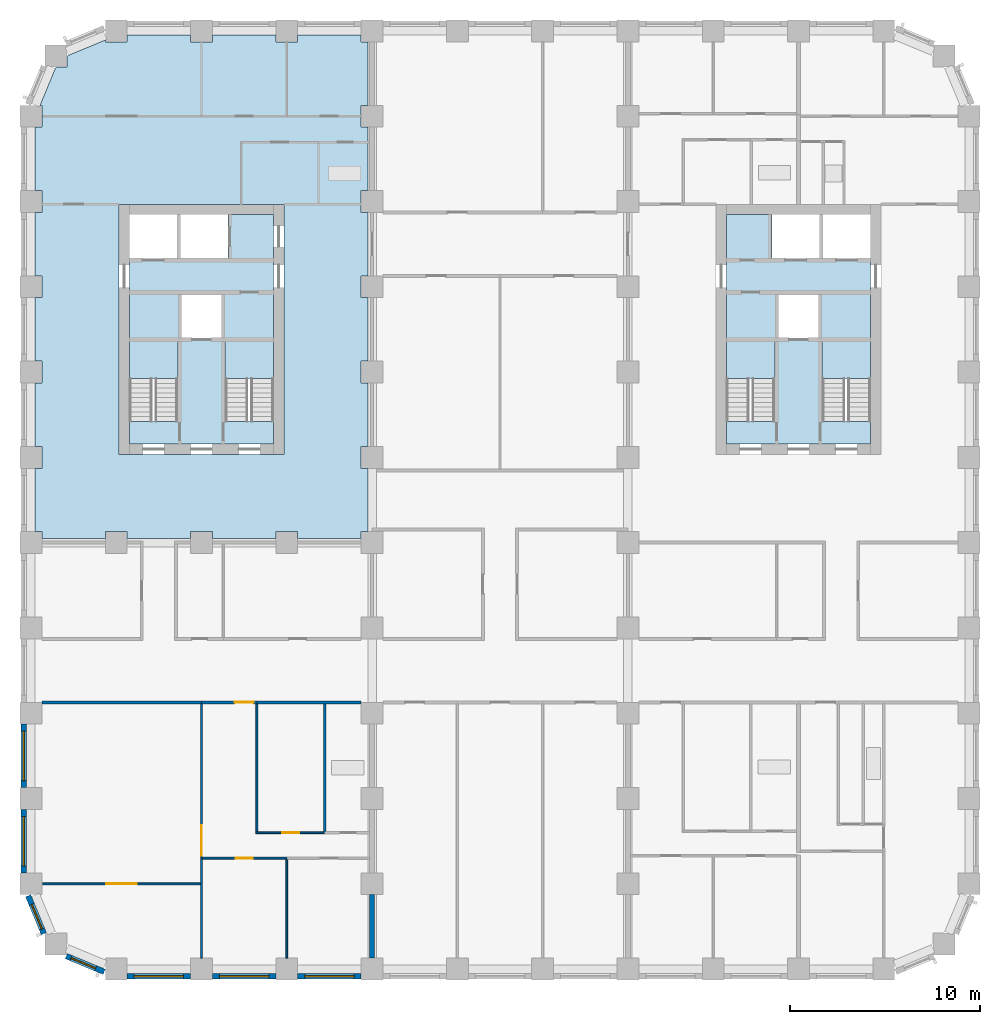
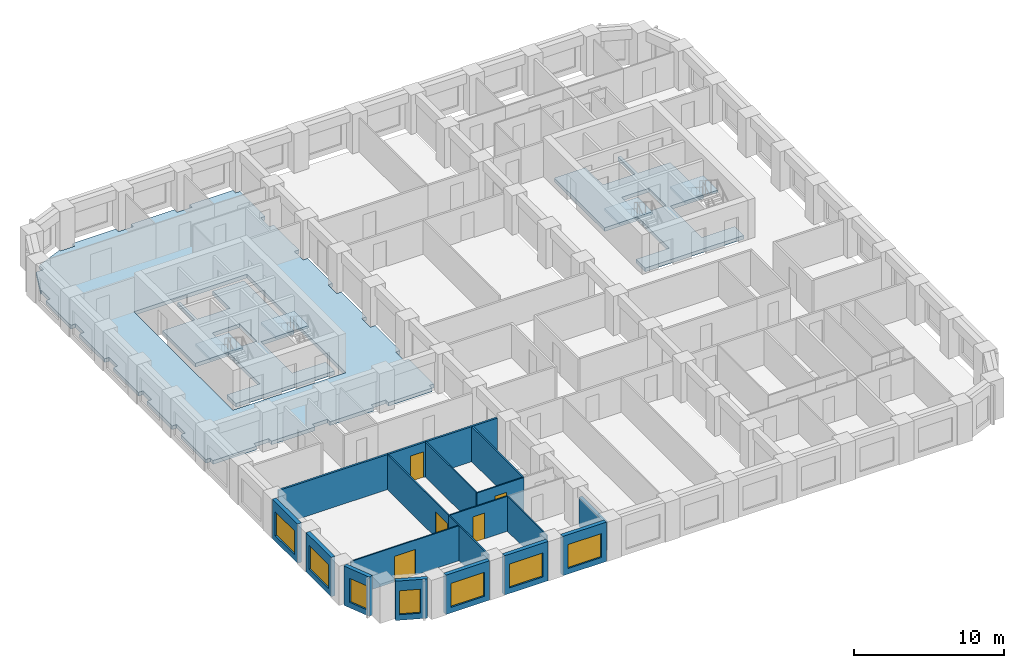
# One storey, part 2 of 12: 19 walls, 7 slabs, 7 windows, 5 doors, 12 openings, 4 elements without a shape of their own.
"""IFC4 building model written with IfcOpenShell, lengths in metres."""

from ifc_helpers import new_model, si_unit, direction, frame, frame_2d, origin, place, context, subcontext, project, spatial, polyline, rectangle, outline, extrude, material, layer, layer_set, type_object, element, fill, aggregate, save


model = new_model("IFC4")

# Units and contexts
model_context = context("Model", 3, precision=1e-05, world=origin(), true_north=direction((0.0, 1.0)))
body_context = subcontext(model_context, "Body", "Model", "MODEL_VIEW")
ifc_project = project(units=[si_unit("LENGTHUNIT", "METRE"), si_unit("AREAUNIT", "SQUARE_METRE"), si_unit("VOLUMEUNIT", "CUBIC_METRE"), si_unit("PLANEANGLEUNIT", "RADIAN"), si_unit("MASSUNIT", "GRAM", prefix="KILO")], contexts=[model_context])

# Site, building, storey
site_placement = place(None, origin())
site = spatial("IfcSite", under=ifc_project, at=site_placement, CompositionType="ELEMENT")
building_placement = place(site_placement, origin())
building = spatial("IfcBuilding", under=site, at=building_placement, Name="Girih Gate Residences", CompositionType="ELEMENT")
storey_placement = place(building_placement, frame((0.0, 0.0, 121.60009765625)))
storey = spatial("IfcBuildingStorey", under=building, at=storey_placement, Name="L34", CompositionType="ELEMENT", Elevation=121.60009765625)

# Slabs
ifc_material_1 = material(Name="Concrete C40/50", Category="concrete")
ifc_layer_1 = layer(ifc_material_1, 0.300048828125)
ifc_layer_set_1 = layer_set([ifc_layer_1], Name="Core floor slab 300")
slab_type_1 = type_object("IfcSlabType", Name="Core floor slab 300", PredefinedType="FLOOR", material=ifc_layer_set_1)
slab_1_placement = place(storey_placement, frame((0.0, 0.0, -0.300048828125)))
element("IfcSlab", 1, at=slab_1_placement, inside=storey, type_object=slab_type_1, Name="L34 W core floor", PredefinedType="FLOOR", context=body_context, shape_type="SweptSolid", body=[
    extrude(outline(polyline([(12.800048828125, 27.699951171875), (5.199951171875, 27.699951171875), (5.199951171875, 28.900634765625), (7.75, 28.900634765625), (7.75, 33.10009765625), (5.199951171875, 33.10009765625), (5.199951171875, 37.5), (7.699951171875, 37.5), (7.699951171875, 39.800048828125), (7.89990234375, 39.800048828125), (7.89990234375, 37.5), (10.39990234375, 37.5), (10.39990234375, 39.800048828125), (12.800048828125, 39.800048828125), (12.800048828125, 33.10009765625), (10.25, 33.10009765625), (10.25, 28.900634765625), (12.800048828125, 28.900634765625), (12.800048828125, 27.699951171875)]), holes=[polyline([(7.949951171875, 33.300048828125), (10.050048828125, 33.300048828125), (10.050048828125, 35.60009765625), (7.949951171875, 35.60009765625), (7.949951171875, 33.300048828125)])]), origin(), (0.0, 0.0, 1.0), 0.300048828125),
])
slab_2_placement = place(storey_placement, frame((0.0, 0.0, -0.300048828125)))
element("IfcSlab", 2, at=slab_2_placement, inside=storey, type_object=slab_type_1, Name="L34 E core floor", PredefinedType="FLOOR", context=body_context, shape_type="SweptSolid", body=[
    extrude(outline(polyline([(44.300048828125, 27.699951171875), (36.699951171875, 27.699951171875), (36.699951171875, 28.900634765625), (39.25, 28.900634765625), (39.25, 33.10009765625), (36.699951171875, 33.10009765625), (36.699951171875, 39.800048828125), (39.10009765625, 39.800048828125), (39.10009765625, 37.5), (41.60009765625, 37.5), (41.60009765625, 39.800048828125), (41.800048828125, 39.800048828125), (41.800048828125, 37.5), (44.300048828125, 37.5), (44.300048828125, 33.10009765625), (41.75, 33.10009765625), (41.75, 28.900634765625), (44.300048828125, 28.900634765625), (44.300048828125, 27.699951171875)]), holes=[polyline([(39.449951171875, 33.300048828125), (41.550048828125, 33.300048828125), (41.550048828125, 35.60009765625), (39.449951171875, 35.60009765625), (39.449951171875, 33.300048828125)])]), origin(), (0.0, 0.0, 1.0), 0.300048828125),
])
ifc_layer_2 = layer(ifc_material_1, 0.300048828125)
ifc_layer_set_2 = layer_set([ifc_layer_2], Name="Floor slab PT 300 Concrete C40/50")
slab_type_2 = type_object("IfcSlabType", Name="Floor slab PT 300 Concrete C40/50", PredefinedType="FLOOR", material=ifc_layer_set_2)
slab_3_placement = place(storey_placement, frame((0.0, 0.0, -0.300048828125)))
element("IfcSlab", 3, at=slab_3_placement, inside=storey, type_object=slab_type_2, Name="Floor slab L34 3", PredefinedType="FLOOR", context=body_context, shape_type="SweptSolid", body=[
    extrude(outline(polyline([(0.22509765625, 26.425048828125), (0.22509765625, 23.074951171875), (0.574951171875, 23.074951171875), (0.574951171875, 22.72509765625), (3.925048828125, 22.72509765625), (3.925048828125, 23.074951171875), (5.074951171875, 23.074951171875), (5.074951171875, 22.72509765625), (8.425048828125, 22.72509765625), (8.425048828125, 23.074951171875), (9.574951171875, 23.074951171875), (9.574951171875, 22.72509765625), (12.925048828125, 22.72509765625), (12.925048828125, 23.074951171875), (14.074951171875, 23.074951171875), (14.074951171875, 22.72509765625), (17.425048828125, 22.72509765625), (17.425048828125, 23.074951171875), (17.77490234375, 23.074951171875), (17.77490234375, 26.425048828125), (17.425048828125, 26.425048828125), (17.425048828125, 27.574951171875), (17.77490234375, 27.574951171875), (17.77490234375, 30.925048828125), (17.425048828125, 30.925048828125), (17.425048828125, 32.074951171875), (17.77490234375, 32.074951171875), (17.77490234375, 35.425048828125), (17.425048828125, 35.425048828125), (17.425048828125, 36.574951171875), (17.77490234375, 36.574951171875), (17.77490234375, 39.925048828125), (17.425048828125, 39.925048828125), (17.425048828125, 41.074951171875), (17.77490234375, 41.074951171875), (17.77490234375, 44.425048828125), (17.425048828125, 44.425048828125), (17.425048828125, 45.574951171875), (17.77490234375, 45.574951171875), (17.77490234375, 48.925048828125), (17.425048828125, 48.925048828125), (17.425048828125, 49.27490234375), (14.074951171875, 49.27490234375), (14.074951171875, 48.925048828125), (12.925048828125, 48.925048828125), (12.925048828125, 49.27490234375), (9.574951171875, 49.27490234375), (9.574951171875, 48.925048828125), (8.425048828125, 48.925048828125), (8.425048828125, 49.27490234375), (5.074951171875, 49.27490234375), (5.074951171875, 48.925048828125), (3.925048828125, 48.925048828125), (3.925048828125, 49.018310546875), (1.89306640625, 48.176513671875), (1.89306640625, 47.60693359375), (1.323486328125, 47.60693359375), (0.481689453125, 45.574951171875), (0.574951171875, 45.574951171875), (0.574951171875, 44.425048828125), (0.22509765625, 44.425048828125), (0.22509765625, 41.074951171875), (0.574951171875, 41.074951171875), (0.574951171875, 39.925048828125), (0.22509765625, 39.925048828125), (0.22509765625, 36.574951171875), (0.574951171875, 36.574951171875), (0.574951171875, 35.425048828125), (0.22509765625, 35.425048828125), (0.22509765625, 32.074951171875), (0.574951171875, 32.074951171875), (0.574951171875, 30.925048828125), (0.22509765625, 30.925048828125), (0.22509765625, 27.574951171875), (0.574951171875, 27.574951171875), (0.574951171875, 26.425048828125), (0.22509765625, 26.425048828125)]), holes=[polyline([(13.35009765625, 40.35009765625), (13.35009765625, 27.14990234375), (4.64990234375, 27.14990234375), (4.64990234375, 40.35009765625), (13.35009765625, 40.35009765625)])]), origin(), (0.0, 0.0, 1.0), 0.300048828125),
])

# Stair, slab
stair_type = type_object("IfcStairType", Name="Exit stair", PredefinedType="HALF_TURN_STAIR", material=ifc_material_1)
stair_1_placement = place(storey_placement, origin())
stair_1 = element("IfcStair", 4, at=stair_1_placement, inside=storey, type_object=stair_type, Name="L34 Exit Stair ST-W1", PredefinedType="HALF_TURN_STAIR")
ifc_layer_3 = layer(ifc_material_1, 0.199951171875)
ifc_layer_set_3 = layer_set([ifc_layer_3], Name="Stair landing 200")
slab_type_3 = type_object("IfcSlabType", Name="Stair landing 200", PredefinedType="LANDING", material=ifc_layer_set_3)
slab_4_placement = place(storey_placement, frame((0.0, 0.0, 1.39990234375)))
slab_4 = element("IfcSlab", 5, at=slab_4_placement, type_object=slab_type_3, Name="ST-W1 landing 1", PredefinedType="LANDING", context=body_context, shape_type="SweptSolid", body=[
    extrude(outline(polyline([(7.75, 31.14990234375), (7.75, 33.10009765625), (5.199951171875, 33.10009765625), (5.199951171875, 31.14990234375), (7.75, 31.14990234375)])), origin(), (0.0, 0.0, 1.0), 0.199951171875),
])
aggregate(stair_1, [slab_4])

stair_2_placement = place(storey_placement, origin())
stair_2 = element("IfcStair", 6, at=stair_2_placement, inside=storey, type_object=stair_type, Name="L34 Exit Stair ST-W2", PredefinedType="HALF_TURN_STAIR")
slab_5_placement = place(storey_placement, frame((0.0, 0.0, 1.39990234375)))
slab_5 = element("IfcSlab", 7, at=slab_5_placement, type_object=slab_type_3, Name="ST-W2 landing 1", PredefinedType="LANDING", context=body_context, shape_type="SweptSolid", body=[
    extrude(outline(polyline([(12.800048828125, 31.14990234375), (12.800048828125, 33.10009765625), (10.25, 33.10009765625), (10.25, 31.14990234375), (12.800048828125, 31.14990234375)])), origin(), (0.0, 0.0, 1.0), 0.199951171875),
])
aggregate(stair_2, [slab_5])

stair_3_placement = place(storey_placement, origin())
stair_3 = element("IfcStair", 8, at=stair_3_placement, inside=storey, type_object=stair_type, Name="L34 Exit Stair ST-E1", PredefinedType="HALF_TURN_STAIR")
slab_6_placement = place(storey_placement, frame((0.0, 0.0, 1.39990234375)))
slab_6 = element("IfcSlab", 9, at=slab_6_placement, type_object=slab_type_3, Name="ST-E1 landing 1", PredefinedType="LANDING", context=body_context, shape_type="SweptSolid", body=[
    extrude(outline(polyline([(44.300048828125, 31.14990234375), (44.300048828125, 33.10009765625), (41.75, 33.10009765625), (41.75, 31.14990234375), (44.300048828125, 31.14990234375)])), origin(), (0.0, 0.0, 1.0), 0.199951171875),
])
aggregate(stair_3, [slab_6])

stair_4_placement = place(storey_placement, origin())
stair_4 = element("IfcStair", 10, at=stair_4_placement, inside=storey, type_object=stair_type, Name="L34 Exit Stair ST-E2", PredefinedType="HALF_TURN_STAIR")
slab_7_placement = place(storey_placement, frame((0.0, 0.0, 1.39990234375)))
slab_7 = element("IfcSlab", 11, at=slab_7_placement, type_object=slab_type_3, Name="ST-E2 landing 1", PredefinedType="LANDING", context=body_context, shape_type="SweptSolid", body=[
    extrude(outline(polyline([(39.25, 31.14990234375), (39.25, 33.10009765625), (36.699951171875, 33.10009765625), (36.699951171875, 31.14990234375), (39.25, 31.14990234375)])), origin(), (0.0, 0.0, 1.0), 0.199951171875),
])
aggregate(stair_4, [slab_7])

# Walls
ifc_material_2 = material(Name="Gypsum board on steel studs", Category="steel")
ifc_layer_4 = layer(ifc_material_2, 0.25)
ifc_layer_set_4 = layer_set([ifc_layer_4], Name="Acoustic separating wall 250 mm")
wall_type_1 = type_object("IfcWallType", Name="Acoustic separating wall 250 mm", PredefinedType="PARTITIONING", material=ifc_layer_set_4)
wall_1_placement = place(storey_placement, frame((18.0, 0.574951171875, 0.0), z_axis=(0.0, 0.0, 1.0), x_axis=(0.0, 1.0, 0.0)))
element("IfcWall", 12, at=wall_1_placement, inside=storey, type_object=wall_type_1, Name="L34 partition", PredefinedType="PARTITIONING", context=body_context, shape_type="SweptSolid", body=[
    extrude(rectangle(XDim=3.35009765625, YDim=0.25, at=frame_2d((1.675048828125, 0.0))), origin(), (0.0, 0.0, 1.0), 2.3798828125),
])
ifc_layer_5 = layer(ifc_material_2, 0.14990234375)
ifc_layer_set_5 = layer_set([ifc_layer_5], Name="Compartment wall 150 mm")
wall_type_2 = type_object("IfcWallType", Name="Compartment wall 150 mm", PredefinedType="PARTITIONING", material=ifc_layer_set_5)
wall_2_placement = place(storey_placement, frame((0.574951171875, 14.074951171875, 0.0), z_axis=(0.0, 0.0, 1.0), x_axis=(1.0, 0.0, 0.0)))
element("IfcWall", 13, at=wall_2_placement, inside=storey, type_object=wall_type_2, Name="L34 partition", PredefinedType="PARTITIONING", context=body_context, shape_type="SweptSolid", body=[
    extrude(rectangle(XDim=8.425048828125, YDim=0.14990234375, at=frame_2d((4.21240234375, 0.0))), origin(), (0.0, 0.0, 1.0), 2.849853515625),
])

# Wall, opening, door
wall_3_placement = place(storey_placement, frame((11.925048828125, 14.074951171875, 0.0), z_axis=(0.0, 0.0, 1.0), x_axis=(-1.0, 0.0, 0.0)))
wall_3 = element("IfcWall", 14, at=wall_3_placement, inside=storey, type_object=wall_type_2, Name="L34 partition", PredefinedType="PARTITIONING", context=body_context, shape_type="SweptSolid", body=[
    extrude(rectangle(XDim=2.925048828125, YDim=0.14990234375, at=frame_2d((1.46240234375, 0.0))), origin(), (0.0, 0.0, 1.0), 2.849853515625),
])
opening_1_placement = place(wall_3_placement, frame((0.175048828125, 0.0, 0.0)))
opening_1 = element("IfcOpeningElement", 15, at=opening_1_placement, cuts=wall_3, Name="Opening A34-007", PredefinedType="OPENING", context=body_context, shape_type="SweptSolid", body=[
    extrude(rectangle(XDim=1.0, YDim=2.10009765625, at=frame_2d((0.5, 1.050048828125))), frame((0.0, 0.0849609375, 0.0), z_axis=(0.0, -1.0, 0.0), x_axis=(1.0, 0.0, 0.0)), (0.0, 0.0, 1.0), 0.169921875),
])
ifc_material_3 = material(Name="Timber, fire-rated core", Category="wood")
door_type_1 = type_object("IfcDoorType", Name="Flat entrance door 1000x2100 FD30S", OperationType="NOTDEFINED", PredefinedType="DOOR", material=ifc_material_3)
door_1_placement = place(opening_1_placement, origin())
door_1 = element("IfcDoor", 16, at=door_1_placement, inside=storey, type_object=door_type_1, Name="Door A34-007", OperationType="SINGLE_SWING_LEFT", OverallHeight=2.10009765625, OverallWidth=1.0, PredefinedType="DOOR", context=body_context, shape_type="SweptSolid", body=[
    extrude(rectangle(XDim=1.0, YDim=2.10009765625, at=frame_2d((0.5, 1.050048828125))), frame((0.0, 0.02490234375, 0.0), z_axis=(0.0, -1.0, 0.0), x_axis=(1.0, 0.0, 0.0)), (0.0, 0.0, 1.0), 0.050048828125),
])
fill(opening_1, door_1)

# Walls
wall_4_placement = place(storey_placement, frame((11.925048828125, 14.074951171875, 0.0), z_axis=(0.0, 0.0, 1.0), x_axis=(1.0, 0.0, 0.0)))
element("IfcWall", 17, at=wall_4_placement, inside=storey, type_object=wall_type_2, Name="L34 partition", PredefinedType="PARTITIONING", context=body_context, shape_type="SweptSolid", body=[
    extrude(rectangle(XDim=5.5, YDim=0.14990234375, at=frame_2d((2.75, 0.0))), origin(), (0.0, 0.0, 1.0), 2.849853515625),
])
ifc_layer_6 = layer(ifc_material_2, 0.10009765625)
ifc_layer_set_6 = layer_set([ifc_layer_6], Name="Partition 100 mm")
wall_type_3 = type_object("IfcWallType", Name="Partition 100 mm", PredefinedType="PARTITIONING", material=ifc_layer_set_6)
wall_5_placement = place(storey_placement, frame((13.5, 0.574951171875, 0.0), z_axis=(0.0, 0.0, 1.0), x_axis=(0.0, 1.0, 0.0)))
element("IfcWall", 18, at=wall_5_placement, inside=storey, type_object=wall_type_3, Name="L34 partition", PredefinedType="PARTITIONING", context=body_context, shape_type="SweptSolid", body=[
    extrude(rectangle(XDim=5.22998046875, YDim=0.10009765625, at=frame_2d((2.614990234375, 0.0))), origin(), (0.0, 0.0, 1.0), 2.849853515625),
])

# Wall, opening, door
wall_6_placement = place(storey_placement, frame((13.5, 5.85498046875, 0.0), z_axis=(0.0, 0.0, 1.0), x_axis=(-1.0, 0.0, 0.0)))
wall_6 = element("IfcWall", 19, at=wall_6_placement, inside=storey, type_object=wall_type_3, Name="L34 partition", PredefinedType="PARTITIONING", context=body_context, shape_type="SweptSolid", body=[
    extrude(rectangle(XDim=4.449951171875, YDim=0.10009765625, at=frame_2d((2.22509765625, 0.0))), origin(), (0.0, 0.0, 1.0), 2.849853515625),
])
opening_2_placement = place(wall_6_placement, frame((1.800048828125, 0.0, 0.0)))
opening_2 = element("IfcOpeningElement", 20, at=opening_2_placement, cuts=wall_6, Name="Opening A34-002", PredefinedType="OPENING", context=body_context, shape_type="SweptSolid", body=[
    extrude(rectangle(XDim=0.89990234375, YDim=2.10009765625, at=frame_2d((0.449951171875, 1.050048828125))), frame((0.0, 0.06005859375, 0.0), z_axis=(0.0, -1.0, 0.0), x_axis=(1.0, 0.0, 0.0)), (0.0, 0.0, 1.0), 0.1201171875),
])
ifc_material_4 = material(Name="Timber", Category="wood")
door_type_2 = type_object("IfcDoorType", Name="Bedroom door 900x2100", OperationType="NOTDEFINED", PredefinedType="DOOR", material=ifc_material_4)
door_2_placement = place(opening_2_placement, origin())
door_2 = element("IfcDoor", 21, at=door_2_placement, inside=storey, type_object=door_type_2, Name="Door A34-002", OperationType="SINGLE_SWING_RIGHT", OverallHeight=2.10009765625, OverallWidth=0.89990234375, PredefinedType="DOOR", context=body_context, shape_type="SweptSolid", body=[
    extrude(rectangle(XDim=0.89990234375, YDim=2.10009765625, at=frame_2d((0.449951171875, 1.050048828125))), frame((0.0, 0.02490234375, 0.0), z_axis=(0.0, -1.0, 0.0), x_axis=(1.0, 0.0, 0.0)), (0.0, 0.0, 1.0), 0.050048828125),
])
fill(opening_2, door_2)

# Wall
wall_7_placement = place(storey_placement, frame((9.0, 0.574951171875, 0.0), z_axis=(0.0, 0.0, 1.0), x_axis=(0.0, 1.0, 0.0)))
element("IfcWall", 22, at=wall_7_placement, inside=storey, type_object=wall_type_3, Name="L34 partition", PredefinedType="PARTITIONING", context=body_context, shape_type="SweptSolid", body=[
    extrude(rectangle(XDim=5.280029296875, YDim=0.10009765625, at=frame_2d((2.64013671875, 0.0))), origin(), (0.0, 0.0, 1.0), 2.849853515625),
])

# Wall, opening, door
wall_8_placement = place(storey_placement, frame((9.0, 5.85498046875, 0.0), z_axis=(0.0, 0.0, 1.0), x_axis=(0.0, 1.0, 0.0)))
wall_8 = element("IfcWall", 23, at=wall_8_placement, inside=storey, type_object=wall_type_3, Name="L34 partition", PredefinedType="PARTITIONING", context=body_context, shape_type="SweptSolid", body=[
    extrude(rectangle(XDim=8.14501953125, YDim=0.10009765625, at=frame_2d((4.072509765625, 0.0))), origin(), (0.0, 0.0, 1.0), 2.849853515625),
])
opening_3_placement = place(wall_8_placement, frame((0.1298828125, 0.0, 0.0)))
opening_3 = element("IfcOpeningElement", 24, at=opening_3_placement, cuts=wall_8, Name="Opening A34-004", PredefinedType="OPENING", context=body_context, shape_type="SweptSolid", body=[
    extrude(rectangle(XDim=1.60009765625, YDim=2.10009765625, at=frame_2d((0.800048828125, 1.050048828125))), frame((0.0, 0.06005859375, 0.0), z_axis=(0.0, -1.0, 0.0), x_axis=(1.0, 0.0, 0.0)), (0.0, 0.0, 1.0), 0.1201171875),
])
door_type_3 = type_object("IfcDoorType", Name="Double leaf door 1600x2100", OperationType="NOTDEFINED", PredefinedType="DOOR", material=ifc_material_4)
door_3_placement = place(opening_3_placement, origin())
door_3 = element("IfcDoor", 25, at=door_3_placement, inside=storey, type_object=door_type_3, Name="Door A34-004", OperationType="SINGLE_SWING_LEFT", OverallHeight=2.10009765625, OverallWidth=1.60009765625, PredefinedType="DOOR", context=body_context, shape_type="SweptSolid", body=[
    extrude(rectangle(XDim=1.60009765625, YDim=2.10009765625, at=frame_2d((0.800048828125, 1.050048828125))), frame((0.0, 0.02490234375, 0.0), z_axis=(0.0, -1.0, 0.0), x_axis=(1.0, 0.0, 0.0)), (0.0, 0.0, 1.0), 0.050048828125),
])
fill(opening_3, door_3)

wall_9_placement = place(storey_placement, frame((0.622314453125, 4.5, 0.0), z_axis=(0.0, 0.0, 1.0), x_axis=(1.0, 0.0, 0.0)))
wall_9 = element("IfcWall", 26, at=wall_9_placement, inside=storey, type_object=wall_type_3, Name="L34 partition", PredefinedType="PARTITIONING", context=body_context, shape_type="SweptSolid", body=[
    extrude(rectangle(XDim=8.32763671875, YDim=0.10009765625, at=frame_2d((4.163818359375, 0.0))), origin(), (0.0, 0.0, 1.0), 2.849853515625),
])
opening_4_placement = place(wall_9_placement, frame((3.364990234375, 0.0, 0.0)))
opening_4 = element("IfcOpeningElement", 27, at=opening_4_placement, cuts=wall_9, Name="Opening A34-005", PredefinedType="OPENING", context=body_context, shape_type="SweptSolid", body=[
    extrude(rectangle(XDim=1.60009765625, YDim=2.10009765625, at=frame_2d((0.800048828125, 1.050048828125))), frame((0.0, 0.06005859375, 0.0), z_axis=(0.0, -1.0, 0.0), x_axis=(1.0, 0.0, 0.0)), (0.0, 0.0, 1.0), 0.1201171875),
])
door_4_placement = place(opening_4_placement, origin())
door_4 = element("IfcDoor", 28, at=door_4_placement, inside=storey, type_object=door_type_3, Name="Door A34-005", OperationType="SINGLE_SWING_RIGHT", OverallHeight=2.10009765625, OverallWidth=1.60009765625, PredefinedType="DOOR", context=body_context, shape_type="SweptSolid", body=[
    extrude(rectangle(XDim=1.60009765625, YDim=2.10009765625, at=frame_2d((0.800048828125, 1.050048828125))), frame((0.0, 0.02490234375, 0.0), z_axis=(0.0, -1.0, 0.0), x_axis=(1.0, 0.0, 0.0)), (0.0, 0.0, 1.0), 0.050048828125),
])
fill(opening_4, door_4)

# Wall
wall_10_placement = place(storey_placement, frame((11.925048828125, 7.2451171875, 0.0), z_axis=(0.0, 0.0, 1.0), x_axis=(0.0, 1.0, 0.0)))
element("IfcWall", 29, at=wall_10_placement, inside=storey, type_object=wall_type_3, Name="L34 partition", PredefinedType="PARTITIONING", context=body_context, shape_type="SweptSolid", body=[
    extrude(rectangle(XDim=6.7548828125, YDim=0.10009765625, at=frame_2d((3.37744140625, 0.0))), origin(), (0.0, 0.0, 1.0), 2.849853515625),
])

# Wall, opening, door
wall_11_placement = place(storey_placement, frame((11.875, 7.195068359375, 0.0), z_axis=(0.0, 0.0, 1.0), x_axis=(1.0, 0.0, 0.0)))
wall_11 = element("IfcWall", 30, at=wall_11_placement, inside=storey, type_object=wall_type_3, Name="L34 partition", PredefinedType="PARTITIONING", context=body_context, shape_type="SweptSolid", body=[
    extrude(rectangle(XDim=3.62451171875, YDim=0.10009765625, at=frame_2d((1.812255859375, 0.0))), origin(), (0.0, 0.0, 1.0), 2.849853515625),
])
opening_5_placement = place(wall_11_placement, frame((1.38720703125, 0.0, 0.0)))
opening_5 = element("IfcOpeningElement", 31, at=opening_5_placement, cuts=wall_11, Name="Opening A34-006", PredefinedType="OPENING", context=body_context, shape_type="SweptSolid", body=[
    extrude(rectangle(XDim=0.89990234375, YDim=2.10009765625, at=frame_2d((0.449951171875, 1.050048828125))), frame((0.0, 0.06005859375, 0.0), z_axis=(0.0, -1.0, 0.0), x_axis=(1.0, 0.0, 0.0)), (0.0, 0.0, 1.0), 0.1201171875),
])
door_type_4 = type_object("IfcDoorType", Name="Kitchen door 900x2100", OperationType="NOTDEFINED", PredefinedType="DOOR", material=ifc_material_4)
door_5_placement = place(opening_5_placement, origin())
door_5 = element("IfcDoor", 32, at=door_5_placement, inside=storey, type_object=door_type_4, Name="Door A34-006", OperationType="SINGLE_SWING_RIGHT", OverallHeight=2.10009765625, OverallWidth=0.89990234375, PredefinedType="DOOR", context=body_context, shape_type="SweptSolid", body=[
    extrude(rectangle(XDim=0.89990234375, YDim=2.10009765625, at=frame_2d((0.449951171875, 1.050048828125))), frame((0.0, 0.02490234375, 0.0), z_axis=(0.0, -1.0, 0.0), x_axis=(1.0, 0.0, 0.0)), (0.0, 0.0, 1.0), 0.050048828125),
])
fill(opening_5, door_5)

# Wall, opening, window
ifc_material_5 = material(Name="Precast concrete C50/60", Category="concrete")
ifc_layer_7 = layer(ifc_material_5, 0.080078125, Name="Outer leaf")
ifc_material_6 = material(Name="Rigid PIR insulation")
ifc_layer_8 = layer(ifc_material_6, 0.14990234375, Name="Insulation")
ifc_material_7 = material(Name="Precast concrete C40/50", Category="concrete")
ifc_layer_9 = layer(ifc_material_7, 0.070068359375, Name="Inner leaf")
ifc_layer_set_7 = layer_set([ifc_layer_7, ifc_layer_8, ifc_layer_9], Name="Precast concrete C50/60 external wall 300")
wall_type_4 = type_object("IfcWallType", Name="Precast concrete C50/60 external wall 300", PredefinedType="SOLIDWALL", material=ifc_layer_set_7)
wall_12_placement = place(storey_placement, frame((0.68408203125, 1.86865234375, 0.0), z_axis=(0.0, 0.0, 1.0), x_axis=(-0.382723818695, 0.923862802911, 0.0)))
wall_12 = element("IfcWall", 33, at=wall_12_placement, inside=storey, type_object=wall_type_4, Name="External wall SW0000_0045.0", PredefinedType="SOLIDWALL", context=body_context, shape_type="SweptSolid", body=[
    extrude(rectangle(XDim=2.163818359375, YDim=0.300048828125, at=frame_2d((1.08203125, 0.0))), origin(), (0.0, 0.0, 1.0), 3.199951171875),
])
opening_6_placement = place(wall_12_placement, frame((0.270751953125, 0.0, 0.449951171875)))
opening_6 = element("IfcOpeningElement", 34, at=opening_6_placement, cuts=wall_12, Name="Opening W-2D", PredefinedType="OPENING", context=body_context, shape_type="SweptSolid", body=[
    extrude(rectangle(XDim=1.39990234375, YDim=1.949951171875, at=frame_2d((0.699951171875, 0.97509765625))), frame((0.0, 0.159912109375, 0.0), z_axis=(0.0, -1.0, 0.0), x_axis=(1.0, 0.0, 0.0)), (0.0, 0.0, 1.0), 0.320068359375),
])
ifc_material_8 = material(Name="Double glazing in aluminium frame", Category="aluminium")
window_type_1 = type_object("IfcWindowType", Name="Window W-2D 1400x1950", PartitioningType="SINGLE_PANEL", PredefinedType="WINDOW", material=ifc_material_8)
window_1_placement = place(opening_6_placement, origin())
window_1 = element("IfcWindow", 35, at=window_1_placement, inside=storey, type_object=window_type_1, Name="Window W-2D SW0000_0045.0", OverallHeight=1.949951171875, OverallWidth=1.39990234375, PartitioningType="SINGLE_PANEL", PredefinedType="WINDOW", context=body_context, shape_type="SweptSolid", body=[
    extrude(rectangle(XDim=1.39990234375, YDim=1.949951171875, at=frame_2d((0.699951171875, 0.97509765625))), frame((0.0, 0.030029296875, 0.0), z_axis=(0.0, -1.0, 0.0), x_axis=(1.0, 0.0, 0.0)), (0.0, 0.0, 1.0), 0.06005859375),
])
fill(opening_6, window_1)

wall_13_placement = place(storey_placement, frame((3.86767578125, -0.14404296875, 0.0), z_axis=(0.0, 0.0, 1.0), x_axis=(-0.923862802911, 0.382723818695, 0.0)))
wall_13 = element("IfcWall", 36, at=wall_13_placement, inside=storey, type_object=wall_type_4, Name="External wall SW0013_0013.0", PredefinedType="SOLIDWALL", context=body_context, shape_type="SweptSolid", body=[
    extrude(rectangle(XDim=2.163818359375, YDim=0.300048828125, at=frame_2d((1.08203125, 0.0))), origin(), (0.0, 0.0, 1.0), 3.199951171875),
])
opening_7_placement = place(wall_13_placement, frame((0.492919921875, 0.0, 0.449951171875)))
opening_7 = element("IfcOpeningElement", 37, at=opening_7_placement, cuts=wall_13, Name="Opening W-2D", PredefinedType="OPENING", context=body_context, shape_type="SweptSolid", body=[
    extrude(rectangle(XDim=1.39990234375, YDim=1.949951171875, at=frame_2d((0.699951171875, 0.97509765625))), frame((0.0, 0.159912109375, 0.0), z_axis=(0.0, -1.0, 0.0), x_axis=(1.0, 0.0, 0.0)), (0.0, 0.0, 1.0), 0.320068359375),
])
window_2_placement = place(opening_7_placement, origin())
window_2 = element("IfcWindow", 38, at=window_2_placement, inside=storey, type_object=window_type_1, Name="Window W-2D SW0013_0013.0", OverallHeight=1.949951171875, OverallWidth=1.39990234375, PartitioningType="SINGLE_PANEL", PredefinedType="WINDOW", context=body_context, shape_type="SweptSolid", body=[
    extrude(rectangle(XDim=1.39990234375, YDim=1.949951171875, at=frame_2d((0.699951171875, 0.97509765625))), frame((0.0, 0.030029296875, 0.0), z_axis=(0.0, -1.0, 0.0), x_axis=(1.0, 0.0, 0.0)), (0.0, 0.0, 1.0), 0.06005859375),
])
fill(opening_7, window_2)

wall_14_placement = place(storey_placement, frame((8.425048828125, -0.375, 0.0), z_axis=(0.0, 0.0, 1.0), x_axis=(-1.0, 0.0, 0.0)))
wall_14 = element("IfcWall", 39, at=wall_14_placement, inside=storey, type_object=wall_type_4, Name="External wall S0045_0000.0", PredefinedType="SOLIDWALL", context=body_context, shape_type="SweptSolid", body=[
    extrude(rectangle(XDim=3.35009765625, YDim=0.300048828125, at=frame_2d((1.675048828125, 0.0))), origin(), (0.0, 0.0, 1.0), 3.199951171875),
])
opening_8_placement = place(wall_14_placement, frame((0.375, 0.0, 0.449951171875)))
opening_8 = element("IfcOpeningElement", 40, at=opening_8_placement, cuts=wall_14, Name="Opening W-1A", PredefinedType="OPENING", context=body_context, shape_type="SweptSolid", body=[
    extrude(rectangle(XDim=2.60009765625, YDim=1.949951171875, at=frame_2d((1.300048828125, 0.97509765625))), frame((0.0, 0.159912109375, 0.0), z_axis=(0.0, -1.0, 0.0), x_axis=(1.0, 0.0, 0.0)), (0.0, 0.0, 1.0), 0.320068359375),
])
window_type_2 = type_object("IfcWindowType", Name="Window W-1A 2600x1950", PartitioningType="SINGLE_PANEL", PredefinedType="WINDOW", material=ifc_material_8)
window_3_placement = place(opening_8_placement, origin())
window_3 = element("IfcWindow", 41, at=window_3_placement, inside=storey, type_object=window_type_2, Name="Window W-1A S0045_0000.0", OverallHeight=1.949951171875, OverallWidth=2.60009765625, PartitioningType="SINGLE_PANEL", PredefinedType="WINDOW", context=body_context, shape_type="SweptSolid", body=[
    extrude(rectangle(XDim=2.60009765625, YDim=1.949951171875, at=frame_2d((1.300048828125, 0.97509765625))), frame((0.0, 0.030029296875, 0.0), z_axis=(0.0, -1.0, 0.0), x_axis=(1.0, 0.0, 0.0)), (0.0, 0.0, 1.0), 0.06005859375),
])
fill(opening_8, window_3)

wall_15_placement = place(storey_placement, frame((12.925048828125, -0.375, 0.0), z_axis=(0.0, 0.0, 1.0), x_axis=(-1.0, 0.0, 0.0)))
wall_15 = element("IfcWall", 42, at=wall_15_placement, inside=storey, type_object=wall_type_4, Name="External wall S0045_0000.1", PredefinedType="SOLIDWALL", context=body_context, shape_type="SweptSolid", body=[
    extrude(rectangle(XDim=3.35009765625, YDim=0.300048828125, at=frame_2d((1.675048828125, 0.0))), origin(), (0.0, 0.0, 1.0), 3.199951171875),
])
opening_9_placement = place(wall_15_placement, frame((0.375, 0.0, 0.449951171875)))
opening_9 = element("IfcOpeningElement", 43, at=opening_9_placement, cuts=wall_15, Name="Opening W-1A", PredefinedType="OPENING", context=body_context, shape_type="SweptSolid", body=[
    extrude(rectangle(XDim=2.60009765625, YDim=1.949951171875, at=frame_2d((1.300048828125, 0.97509765625))), frame((0.0, 0.159912109375, 0.0), z_axis=(0.0, -1.0, 0.0), x_axis=(1.0, 0.0, 0.0)), (0.0, 0.0, 1.0), 0.320068359375),
])
window_4_placement = place(opening_9_placement, origin())
window_4 = element("IfcWindow", 44, at=window_4_placement, inside=storey, type_object=window_type_2, Name="Window W-1A S0045_0000.1", OverallHeight=1.949951171875, OverallWidth=2.60009765625, PartitioningType="SINGLE_PANEL", PredefinedType="WINDOW", context=body_context, shape_type="SweptSolid", body=[
    extrude(rectangle(XDim=2.60009765625, YDim=1.949951171875, at=frame_2d((1.300048828125, 0.97509765625))), frame((0.0, 0.030029296875, 0.0), z_axis=(0.0, -1.0, 0.0), x_axis=(1.0, 0.0, 0.0)), (0.0, 0.0, 1.0), 0.06005859375),
])
fill(opening_9, window_4)

wall_16_placement = place(storey_placement, frame((17.425048828125, -0.375, 0.0), z_axis=(0.0, 0.0, 1.0), x_axis=(-1.0, 0.0, 0.0)))
wall_16 = element("IfcWall", 45, at=wall_16_placement, inside=storey, type_object=wall_type_4, Name="External wall S0045_0000.2", PredefinedType="SOLIDWALL", context=body_context, shape_type="SweptSolid", body=[
    extrude(rectangle(XDim=3.35009765625, YDim=0.300048828125, at=frame_2d((1.675048828125, 0.0))), origin(), (0.0, 0.0, 1.0), 3.199951171875),
])
opening_10_placement = place(wall_16_placement, frame((0.375, 0.0, 0.449951171875)))
opening_10 = element("IfcOpeningElement", 46, at=opening_10_placement, cuts=wall_16, Name="Opening W-1A", PredefinedType="OPENING", context=body_context, shape_type="SweptSolid", body=[
    extrude(rectangle(XDim=2.60009765625, YDim=1.949951171875, at=frame_2d((1.300048828125, 0.97509765625))), frame((0.0, 0.159912109375, 0.0), z_axis=(0.0, -1.0, 0.0), x_axis=(1.0, 0.0, 0.0)), (0.0, 0.0, 1.0), 0.320068359375),
])
window_5_placement = place(opening_10_placement, origin())
window_5 = element("IfcWindow", 47, at=window_5_placement, inside=storey, type_object=window_type_2, Name="Window W-1A S0045_0000.2", OverallHeight=1.949951171875, OverallWidth=2.60009765625, PartitioningType="SINGLE_PANEL", PredefinedType="WINDOW", context=body_context, shape_type="SweptSolid", body=[
    extrude(rectangle(XDim=2.60009765625, YDim=1.949951171875, at=frame_2d((1.300048828125, 0.97509765625))), frame((0.0, 0.030029296875, 0.0), z_axis=(0.0, -1.0, 0.0), x_axis=(1.0, 0.0, 0.0)), (0.0, 0.0, 1.0), 0.06005859375),
])
fill(opening_10, window_5)

wall_17_placement = place(storey_placement, frame((-0.375, 9.574951171875, 0.0), z_axis=(0.0, 0.0, 1.0), x_axis=(0.0, 1.0, 0.0)))
wall_17 = element("IfcWall", 48, at=wall_17_placement, inside=storey, type_object=wall_type_4, Name="External wall W0000_0450.7", PredefinedType="SOLIDWALL", context=body_context, shape_type="SweptSolid", body=[
    extrude(rectangle(XDim=3.35009765625, YDim=0.300048828125, at=frame_2d((1.675048828125, 0.0))), origin(), (0.0, 0.0, 1.0), 3.199951171875),
])
opening_11_placement = place(wall_17_placement, frame((0.375, 0.0, 0.449951171875)))
opening_11 = element("IfcOpeningElement", 49, at=opening_11_placement, cuts=wall_17, Name="Opening W-1A", PredefinedType="OPENING", context=body_context, shape_type="SweptSolid", body=[
    extrude(rectangle(XDim=2.60009765625, YDim=1.949951171875, at=frame_2d((1.300048828125, 0.97509765625))), frame((0.0, 0.159912109375, 0.0), z_axis=(0.0, -1.0, 0.0), x_axis=(1.0, 0.0, 0.0)), (0.0, 0.0, 1.0), 0.320068359375),
])
window_6_placement = place(opening_11_placement, origin())
window_6 = element("IfcWindow", 50, at=window_6_placement, inside=storey, type_object=window_type_2, Name="Window W-1A W0000_0450.7", OverallHeight=1.949951171875, OverallWidth=2.60009765625, PartitioningType="SINGLE_PANEL", PredefinedType="WINDOW", context=body_context, shape_type="SweptSolid", body=[
    extrude(rectangle(XDim=2.60009765625, YDim=1.949951171875, at=frame_2d((1.300048828125, 0.97509765625))), frame((0.0, 0.030029296875, 0.0), z_axis=(0.0, -1.0, 0.0), x_axis=(1.0, 0.0, 0.0)), (0.0, 0.0, 1.0), 0.06005859375),
])
fill(opening_11, window_6)

wall_18_placement = place(storey_placement, frame((-0.375, 5.074951171875, 0.0), z_axis=(0.0, 0.0, 1.0), x_axis=(0.0, 1.0, 0.0)))
wall_18 = element("IfcWall", 51, at=wall_18_placement, inside=storey, type_object=wall_type_4, Name="External wall W0000_0450.8", PredefinedType="SOLIDWALL", context=body_context, shape_type="SweptSolid", body=[
    extrude(rectangle(XDim=3.35009765625, YDim=0.300048828125, at=frame_2d((1.675048828125, 0.0))), origin(), (0.0, 0.0, 1.0), 3.199951171875),
])
opening_12_placement = place(wall_18_placement, frame((0.375, 0.0, 0.449951171875)))
opening_12 = element("IfcOpeningElement", 52, at=opening_12_placement, cuts=wall_18, Name="Opening W-1A", PredefinedType="OPENING", context=body_context, shape_type="SweptSolid", body=[
    extrude(rectangle(XDim=2.60009765625, YDim=1.949951171875, at=frame_2d((1.300048828125, 0.97509765625))), frame((0.0, 0.159912109375, 0.0), z_axis=(0.0, -1.0, 0.0), x_axis=(1.0, 0.0, 0.0)), (0.0, 0.0, 1.0), 0.320068359375),
])
window_7_placement = place(opening_12_placement, origin())
window_7 = element("IfcWindow", 53, at=window_7_placement, inside=storey, type_object=window_type_2, Name="Window W-1A W0000_0450.8", OverallHeight=1.949951171875, OverallWidth=2.60009765625, PartitioningType="SINGLE_PANEL", PredefinedType="WINDOW", context=body_context, shape_type="SweptSolid", body=[
    extrude(rectangle(XDim=2.60009765625, YDim=1.949951171875, at=frame_2d((1.300048828125, 0.97509765625))), frame((0.0, 0.030029296875, 0.0), z_axis=(0.0, -1.0, 0.0), x_axis=(1.0, 0.0, 0.0)), (0.0, 0.0, 1.0), 0.06005859375),
])
fill(opening_12, window_7)

# Wall
ifc_layer_10 = layer(ifc_material_2, 0.125)
ifc_layer_set_8 = layer_set([ifc_layer_10], Name="Wet room wall 125 mm")
wall_type_5 = type_object("IfcWallType", Name="Wet room wall 125 mm", PredefinedType="PARTITIONING", material=ifc_layer_set_8)
wall_19_placement = place(storey_placement, frame((15.5, 7.257568359375, 0.0), z_axis=(0.0, 0.0, 1.0), x_axis=(0.0, 1.0, 0.0)))
element("IfcWall", 54, at=wall_19_placement, inside=storey, type_object=wall_type_5, Name="L34 partition", PredefinedType="PARTITIONING", context=body_context, shape_type="SweptSolid", body=[
    extrude(rectangle(XDim=6.742431640625, YDim=0.125, at=frame_2d((3.37109375, 0.0))), origin(), (0.0, 0.0, 1.0), 2.849853515625),
])

save(model, "model.ifc")
